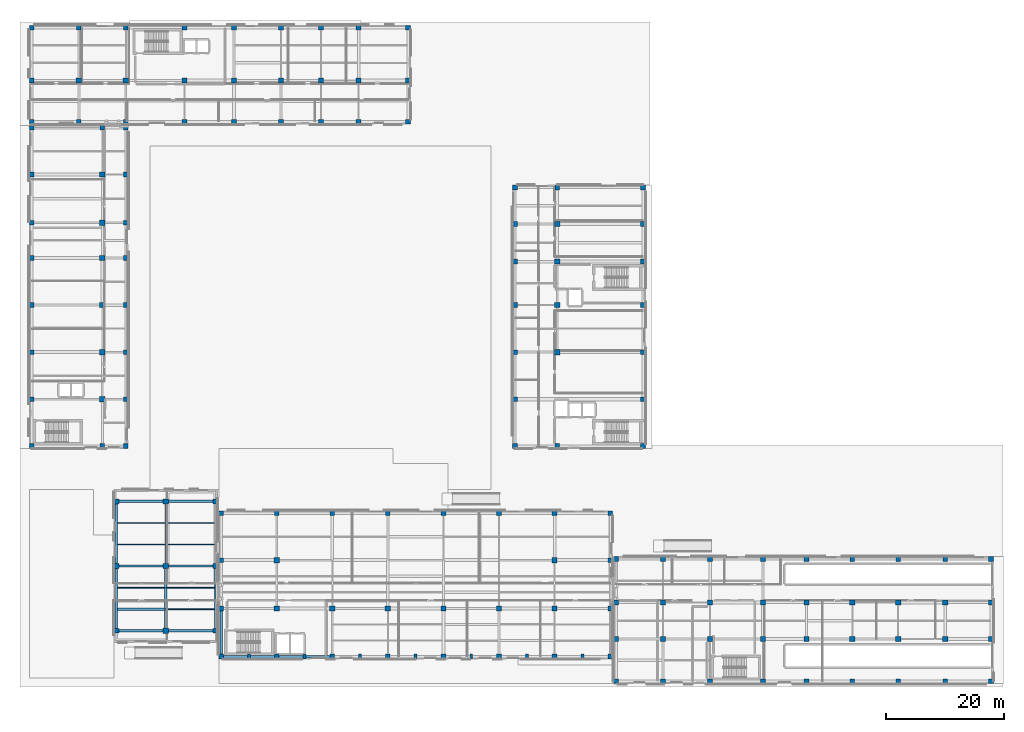
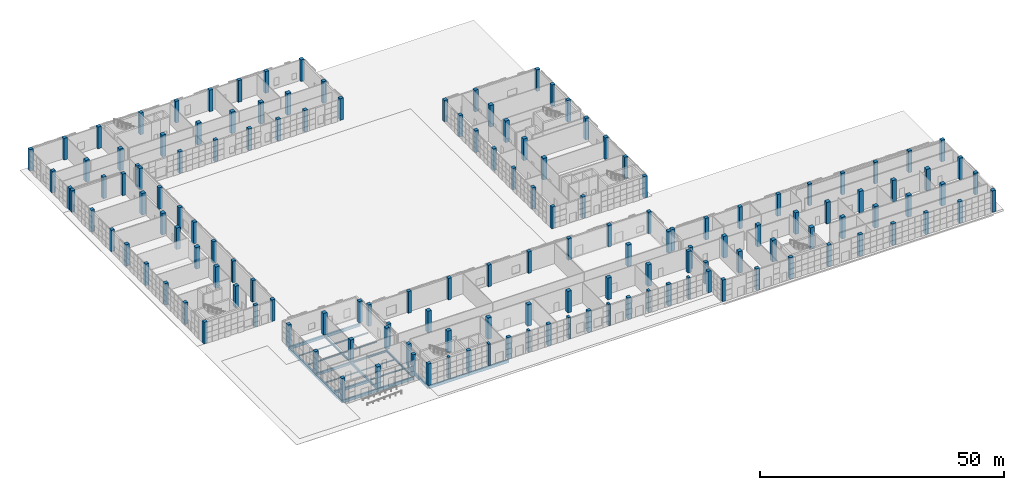
# One storey, part 1 of 40: 151 columns, 22 beams.
"""IFC4 building model written with IfcOpenShell, lengths in metres."""

import ifcopenshell
import ifcopenshell.guid

model = None  # the IFC model being written
_history = None  # IfcOwnerHistory: only IFC2X3 demands one
_inside = {}  # id of a spatial element -> (the spatial element, [elements in it])
_under = {}  # id of a project, library or spatial element -> (it, [spatial elements below it])
_declared = {}  # id of a project -> (the project, [libraries it declares])
_typed = {}  # id of a type object -> (the type object, [elements of that type])
_made_of = {}  # id of a material, layer set ... -> (it, [elements and type objects made of it])


def new_model(schema):
    """Start an empty IFC model of exactly this schema.

    Asked for "IFC4X3", IfcOpenShell would pick the latest addendum, in which some entities
    have other attributes; the version numbers below select the first issue.
    IFC2X3 requires an IfcOwnerHistory on every rooted entity: one is made here for all.
    """
    global model, _history
    if schema == "IFC4X3":
        model = ifcopenshell.file(schema_version=(4, 3, 0, 0))
    else:
        model = ifcopenshell.file(schema=schema)
    _inside.clear()
    _under.clear()
    _declared.clear()
    _typed.clear()
    _made_of.clear()
    _history = None
    if model.schema == "IFC2X3":
        org = make("IfcOrganization", Name="unknown")
        user = make(
            "IfcPersonAndOrganization",
            ThePerson=make("IfcPerson", FamilyName="unknown"),
            TheOrganization=org,
        )
        app = make(
            "IfcApplication",
            ApplicationDeveloper=org,
            Version="unknown",
            ApplicationFullName="unknown",
            ApplicationIdentifier="unknown",
        )
        _history = make(
            "IfcOwnerHistory",
            OwningUser=user,
            OwningApplication=app,
            ChangeAction="ADDED",
            CreationDate=0,
        )
    return model


def make(cls, **values):
    """One entity of the class cls with the attributes given. An attribute that is None is left unset."""
    return model.create_entity(
        cls, **{name: value for name, value in values.items() if value is not None}
    )


def rooted(cls, **values):
    """An entity with a GlobalId (a new one), such as an element, a storey or a relation."""
    return make(cls, GlobalId=ifcopenshell.guid.new(), OwnerHistory=_history, **values)


def si_unit(unit_type, name, prefix=None):
    """IfcSIUnit, for example si_unit("LENGTHUNIT", "METRE", prefix="MILLI")."""
    return make("IfcSIUnit", UnitType=unit_type, Prefix=prefix, Name=name)


def assignment(units):
    """IfcUnitAssignment: the units of a project."""
    return None if units is None else make("IfcUnitAssignment", Units=units)


def point(xyz):
    """IfcCartesianPoint."""
    return None if xyz is None else make("IfcCartesianPoint", Coordinates=xyz)


def direction(xyz):
    """IfcDirection."""
    return None if xyz is None else make("IfcDirection", DirectionRatios=xyz)


def frame(location, z_axis=None, x_axis=None):
    """IfcAxis2Placement3D, a coordinate frame: its origin and axes. An axis left out is left unset."""
    return make(
        "IfcAxis2Placement3D",
        Location=point(location),
        Axis=direction(z_axis),
        RefDirection=direction(x_axis),
    )


def frame_2d(location, x_axis=None):
    """IfcAxis2Placement2D, a coordinate frame in the plane: its origin and x axis."""
    return make(
        "IfcAxis2Placement2D", Location=point(location), RefDirection=direction(x_axis)
    )


def origin():
    """The frame at (0, 0, 0) with its axes left unset."""
    return frame((0.0, 0.0, 0.0))


def origin_2d():
    """The frame at (0, 0) in the plane with its x axis left unset."""
    return frame_2d((0.0, 0.0))


def place(relative_to, where):
    """IfcLocalPlacement: puts the frame where relative to a parent placement (None: the world)."""
    return make(
        "IfcLocalPlacement", PlacementRelTo=relative_to, RelativePlacement=where
    )


def context(
    kind, dimensions, precision=None, world=None, true_north=None, identifier=None
):
    """IfcGeometricRepresentationContext, for example the 3D "Model" context."""
    return make(
        "IfcGeometricRepresentationContext",
        ContextIdentifier=identifier,
        ContextType=kind,
        CoordinateSpaceDimension=dimensions,
        Precision=precision,
        WorldCoordinateSystem=world,
        TrueNorth=true_north,
    )


def subcontext(parent, identifier, kind, view, scale=None):
    """IfcGeometricRepresentationSubContext, for example "Body" below "Model"."""
    return make(
        "IfcGeometricRepresentationSubContext",
        ContextIdentifier=identifier,
        ContextType=kind,
        ParentContext=parent,
        TargetScale=scale,
        TargetView=view,
    )


def project(units=None, contexts=None):
    """IfcProject with its units and contexts."""
    return rooted(
        "IfcProject",
        Name="project",
        RepresentationContexts=contexts,
        UnitsInContext=assignment(units),
    )


def spatial(cls, under=None, at=None, **own):
    """A site, building, storey or space (cls), placed at a placement, below another one or the project."""
    s = rooted(cls, ObjectPlacement=at, **own)
    if under is not None:
        _under.setdefault(under.id(), (under, []))[1].append(s)
    return s


def profile(cls, at=None, kind="AREA", **sizes):
    """A parametric profile (cls). Its sizes go by their IFC names, for example OverallWidth=200.0."""
    return make(cls, ProfileType=kind, Position=at, **sizes)


def rectangle(**sizes):
    """IfcRectangleProfileDef."""
    return profile("IfcRectangleProfileDef", **sizes)


def i_section(**sizes):
    """IfcIShapeProfileDef."""
    return profile("IfcIShapeProfileDef", **sizes)


def extrude(swept, where, along, depth):
    """IfcExtrudedAreaSolid: the profile swept, set in the frame where, extruded along a direction by depth."""
    return make(
        "IfcExtrudedAreaSolid",
        SweptArea=swept,
        Position=where,
        ExtrudedDirection=direction(along),
        Depth=depth,
    )


def shape(context_of_items, identifier, shape_type, items):
    """IfcShapeRepresentation: the items that make up one representation, for example the "Body"."""
    return make(
        "IfcShapeRepresentation",
        ContextOfItems=context_of_items,
        RepresentationIdentifier=identifier,
        RepresentationType=shape_type,
        Items=items,
    )


def material(Name=None, Category=None):
    """IfcMaterial."""
    return make("IfcMaterial", Name=Name, Category=Category)


def material_profile(
    of_material, cross_section, Name=None, Category=None, Priority=None
):
    """IfcMaterialProfile: a cross section and its material."""
    return make(
        "IfcMaterialProfile",
        Name=Name,
        Material=of_material,
        Profile=cross_section,
        Priority=Priority,
        Category=Category,
    )


def profile_set(profiles, Name=None, composite=None):
    """IfcMaterialProfileSet."""
    return make(
        "IfcMaterialProfileSet",
        Name=Name,
        MaterialProfiles=profiles,
        CompositeProfile=composite,
    )


def made_of(thing, what):
    """Note that an element or type object is made of a material, layer set ...; save() writes the relation."""
    if what is not None:
        _made_of.setdefault(what.id(), (what, []))[1].append(thing)
    return thing


def type_object(cls, material=None, **own):
    """A type object (cls), such as IfcWallType, which elements share."""
    return made_of(rooted(cls, **own), material)


def element(
    cls,
    number,
    at=None,
    inside=None,
    cuts=None,
    type_object=None,
    material=None,
    context=None,
    identifier="Body",
    shape_type=None,
    held_by="IfcProductDefinitionShape",
    body=None,
    shapes=None,
    **own,
):
    """One element of the class cls, such as IfcWall. Its Tag is "e" and its number.

    at: its placement. inside: the storey or other place that contains it. cuts: it is an
    opening in that element (IfcRelVoidsElement). A single representation is given by context,
    identifier, shape_type and body (its items); several are given by shapes. held_by: the class
    of the entity that holds the representations. save() writes the other relations.
    """
    e = rooted(cls, Tag="e%d" % number, ObjectPlacement=at, **own)
    if body is not None:
        shapes = [shape(context, identifier, shape_type, body)]
    if shapes is not None:
        e.Representation = make(held_by, Representations=shapes)
    if inside is not None:
        _inside.setdefault(inside.id(), (inside, []))[1].append(e)
    if cuts is not None:
        rooted(
            "IfcRelVoidsElement", RelatingBuildingElement=cuts, RelatedOpeningElement=e
        )
    if type_object is not None:
        _typed.setdefault(type_object.id(), (type_object, []))[1].append(e)
    return made_of(e, material)


def aggregate(whole, parts):
    """IfcRelAggregates: a whole, such as a stair, and the parts it consists of."""
    return rooted("IfcRelAggregates", RelatingObject=whole, RelatedObjects=parts)


def save(model, path):
    """Write the relations noted so far, then the file.

    IfcRelAggregates (storeys below a building ...), IfcRelContainedInSpatialStructure (elements
    in a storey), IfcRelDefinesByType, IfcRelAssociatesMaterial and IfcRelDeclares: one each for
    every whole, place, type object, material and project.
    """
    for whole, parts in _under.values():
        aggregate(whole, parts)
    for where, things in _inside.values():
        rooted(
            "IfcRelContainedInSpatialStructure",
            RelatedElements=things,
            RelatingStructure=where,
        )
    for kind, things in _typed.values():
        rooted("IfcRelDefinesByType", RelatedObjects=things, RelatingType=kind)
    for what, things in _made_of.values():
        rooted("IfcRelAssociatesMaterial", RelatedObjects=things, RelatingMaterial=what)
    for by, libraries in _declared.values():
        rooted("IfcRelDeclares", RelatingContext=by, RelatedDefinitions=libraries)
    model.write(path)


model = new_model("IFC4")

# Units and contexts
model_context = context("Model", 3, precision=1e-05, world=origin(), true_north=direction((0.0, 1.0)))
body_context = subcontext(model_context, "Body", "Model", "MODEL_VIEW")
ifc_project = project(units=[si_unit("LENGTHUNIT", "METRE"), si_unit("AREAUNIT", "SQUARE_METRE"), si_unit("VOLUMEUNIT", "CUBIC_METRE"), si_unit("PLANEANGLEUNIT", "RADIAN"), si_unit("MASSUNIT", "GRAM", prefix="KILO")], contexts=[model_context])

# Site, building, storey
site_placement = place(None, origin())
site = spatial("IfcSite", under=ifc_project, at=site_placement, CompositionType="ELEMENT")
building_placement = place(site_placement, origin())
building = spatial("IfcBuilding", under=site, at=building_placement, Name="Qalavern Law Courts", CompositionType="ELEMENT")
storey_placement = place(building_placement, origin())
storey = spatial("IfcBuildingStorey", under=building, at=storey_placement, Name="L00", CompositionType="ELEMENT", Elevation=0.0)

# Columns
ifc_material_1 = material(Name="Concrete C45/55", Category="concrete")
ifc_material_profile_1 = material_profile(ifc_material_1, rectangle(XDim=0.800048828125, YDim=0.800048828125, at=origin_2d()), Name="RC 800x800")
ifc_profile_set_1 = profile_set([ifc_material_profile_1], Name="Concrete C45/55")
column_type_1 = type_object("IfcColumnType", Name="STR-COL-RC800E", PredefinedType="COLUMN", material=ifc_profile_set_1)
for number, where, z_axis, x_axis, name in (
    (1, (16.800048828125, 10.0, 0.0), (0.0, 0.0, 1.0), (1.0, 0.0, 0.0), "V1 column 1-1 L00"),
    (2, (16.800048828125, 21.0, 0.0), (0.0, 0.0, 1.0), (1.0, 0.0, 0.0), "V1 column 1-2 L00"),
    (3, (16.800048828125, 32.0, 0.0), (0.0, 0.0, 1.0), (1.0, 0.0, 0.0), "V1 column 1-3 L00"),
    (4, (33.60009765625, 10.0, 0.0), (0.0, 0.0, 1.0), (1.0, 0.0, 0.0), "V1 column 3-1 L00"),
    (5, (33.60009765625, 21.0, 0.0), (0.0, 0.0, 1.0), (1.0, 0.0, 0.0), "V1 column 3-2 L00"),
    (6, (33.60009765625, 32.0, 0.0), (0.0, 0.0, 1.0), (1.0, 0.0, 0.0), "V1 column 3-3 L00"),
    (7, (34.6201171875, 5.60009765625, 0.0), (0.0, 0.0, 1.0), (1.0, 0.0, 0.0), "V2 column 1-1 L00"),
    (8, (34.6201171875, 13.800048828125, 0.0), (0.0, 0.0, 1.0), (1.0, 0.0, 0.0), "V2 column 1-2 L00"),
    (9, (34.6201171875, 22.0, 0.0), (0.0, 0.0, 1.0), (1.0, 0.0, 0.0), "V2 column 1-3 L00"),
    (10, (34.6201171875, 30.0, 0.0), (0.0, 0.0, 1.0), (1.0, 0.0, 0.0), "V2 column 1-4 L00"),
    (11, (44.07421875, 5.60009765625, 0.0), (0.0, 0.0, 1.0), (1.0, 0.0, 0.0), "V2 column 2-1 L00"),
    (12, (44.07421875, 30.0, 0.0), (0.0, 0.0, 1.0), (1.0, 0.0, 0.0), "V2 column 2-4 L00"),
    (13, (53.528564453125, 5.60009765625, 0.0), (0.0, 0.0, 1.0), (1.0, 0.0, 0.0), "V2 column 3-1 L00"),
    (14, (53.528564453125, 30.0, 0.0), (0.0, 0.0, 1.0), (1.0, 0.0, 0.0), "V2 column 3-4 L00"),
    (15, (62.98291015625, 5.60009765625, 0.0), (0.0, 0.0, 1.0), (1.0, 0.0, 0.0), "V2 column 4-1 L00"),
    (16, (62.98291015625, 30.0, 0.0), (0.0, 0.0, 1.0), (1.0, 0.0, 0.0), "V2 column 4-4 L00"),
    (17, (72.43701171875, 5.60009765625, 0.0), (0.0, 0.0, 1.0), (1.0, 0.0, 0.0), "V2 column 5-1 L00"),
    (18, (72.43701171875, 30.0, 0.0), (0.0, 0.0, 1.0), (1.0, 0.0, 0.0), "V2 column 5-4 L00"),
    (19, (81.891357421875, 5.60009765625, 0.0), (0.0, 0.0, 1.0), (1.0, 0.0, 0.0), "V2 column 6-1 L00"),
    (20, (81.891357421875, 30.0, 0.0), (0.0, 0.0, 1.0), (1.0, 0.0, 0.0), "V2 column 6-4 L00"),
    (21, (91.345703125, 5.60009765625, 0.0), (0.0, 0.0, 1.0), (1.0, 0.0, 0.0), "V2 column 7-1 L00"),
    (22, (91.345703125, 30.0, 0.0), (0.0, 0.0, 1.0), (1.0, 0.0, 0.0), "V2 column 7-4 L00"),
    (23, (100.800048828125, 5.60009765625, 0.0), (0.0, 0.0, 1.0), (1.0, 0.0, 0.0), "V2 column 8-1 L00"),
    (24, (100.800048828125, 13.800048828125, 0.0), (0.0, 0.0, 1.0), (1.0, 0.0, 0.0), "V2 column 8-2 L00"),
    (25, (100.800048828125, 22.0, 0.0), (0.0, 0.0, 1.0), (1.0, 0.0, 0.0), "V2 column 8-3 L00"),
    (26, (100.800048828125, 30.0, 0.0), (0.0, 0.0, 1.0), (1.0, 0.0, 0.0), "V2 column 8-4 L00"),
    (27, (2.39990234375, 41.419921875, 0.0), (0.0, 0.0, 1.0), (1.0, 0.0, 0.0), "V3 column 1-1 L00"),
    (28, (2.39990234375, 49.39990234375, 0.0), (0.0, 0.0, 1.0), (1.0, 0.0, 0.0), "V3 column 1-2 L00"),
    (29, (2.39990234375, 57.39990234375, 0.0), (0.0, 0.0, 1.0), (1.0, 0.0, 0.0), "V3 column 1-3 L00"),
    (30, (2.39990234375, 65.39990234375, 0.0), (0.0, 0.0, 1.0), (1.0, 0.0, 0.0), "V3 column 1-4 L00"),
    (31, (2.39990234375, 73.39990234375, 0.0), (0.0, 0.0, 1.0), (1.0, 0.0, 0.0), "V3 column 1-5 L00"),
    (32, (2.39990234375, 79.39990234375, 0.0), (0.0, 0.0, 1.0), (1.0, 0.0, 0.0), "V3 column 1-6 L00"),
    (33, (2.39990234375, 87.60009765625, 0.0), (0.0, 0.0, 1.0), (1.0, 0.0, 0.0), "V3 column 1-7 L00"),
    (34, (2.39990234375, 95.580078125, 0.0), (0.0, 0.0, 1.0), (1.0, 0.0, 0.0), "V3 column 1-8 L00"),
    (35, (14.39990234375, 41.419921875, 0.0), (0.0, 0.0, 1.0), (1.0, 0.0, 0.0), "V3 column 2-1 L00"),
    (36, (14.39990234375, 95.580078125, 0.0), (0.0, 0.0, 1.0), (1.0, 0.0, 0.0), "V3 column 2-8 L00"),
    (37, (18.39990234375, 41.419921875, 0.0), (0.0, 0.0, 1.0), (1.0, 0.0, 0.0), "V3 column 3-1 L00"),
    (38, (18.39990234375, 49.39990234375, 0.0), (0.0, 0.0, 1.0), (1.0, 0.0, 0.0), "V3 column 3-2 L00"),
    (39, (18.39990234375, 57.39990234375, 0.0), (0.0, 0.0, 1.0), (1.0, 0.0, 0.0), "V3 column 3-3 L00"),
    (40, (18.39990234375, 65.39990234375, 0.0), (0.0, 0.0, 1.0), (1.0, 0.0, 0.0), "V3 column 3-4 L00"),
    (41, (18.39990234375, 73.39990234375, 0.0), (0.0, 0.0, 1.0), (1.0, 0.0, 0.0), "V3 column 3-5 L00"),
    (42, (18.39990234375, 79.39990234375, 0.0), (0.0, 0.0, 1.0), (1.0, 0.0, 0.0), "V3 column 3-6 L00"),
    (43, (18.39990234375, 87.60009765625, 0.0), (0.0, 0.0, 1.0), (1.0, 0.0, 0.0), "V3 column 3-7 L00"),
    (44, (18.39990234375, 95.580078125, 0.0), (0.0, 0.0, 1.0), (1.0, 0.0, 0.0), "V3 column 3-8 L00"),
    (45, (84.60009765625, 41.419921875, 0.0), (0.0, 0.0, 1.0), (1.0, 0.0, 0.0), "V4 column 1-1 L00"),
    (46, (84.60009765625, 49.39990234375, 0.0), (0.0, 0.0, 1.0), (1.0, 0.0, 0.0), "V4 column 1-2 L00"),
    (47, (84.60009765625, 57.39990234375, 0.0), (0.0, 0.0, 1.0), (1.0, 0.0, 0.0), "V4 column 1-3 L00"),
    (48, (84.60009765625, 65.39990234375, 0.0), (0.0, 0.0, 1.0), (1.0, 0.0, 0.0), "V4 column 1-4 L00"),
    (49, (84.60009765625, 72.800048828125, 0.0), (0.0, 0.0, 1.0), (1.0, 0.0, 0.0), "V4 column 1-5 L00"),
    (50, (84.60009765625, 79.199951171875, 0.0), (0.0, 0.0, 1.0), (1.0, 0.0, 0.0), "V4 column 1-6 L00"),
    (51, (84.60009765625, 85.39990234375, 0.0), (0.0, 0.0, 1.0), (1.0, 0.0, 0.0), "V4 column 1-7 L00"),
    (52, (91.800048828125, 41.419921875, 0.0), (0.0, 0.0, 1.0), (1.0, 0.0, 0.0), "V4 column 2-1 L00"),
    (53, (91.800048828125, 85.39990234375, 0.0), (0.0, 0.0, 1.0), (1.0, 0.0, 0.0), "V4 column 2-7 L00"),
    (54, (106.39990234375, 41.419921875, 0.0), (0.0, 0.0, 1.0), (1.0, 0.0, 0.0), "V4 column 3-1 L00"),
    (55, (106.39990234375, 49.39990234375, 0.0), (0.0, 0.0, 1.0), (1.0, 0.0, 0.0), "V4 column 3-2 L00"),
    (56, (106.39990234375, 57.39990234375, 0.0), (0.0, 0.0, 1.0), (1.0, 0.0, 0.0), "V4 column 3-3 L00"),
    (57, (106.39990234375, 65.39990234375, 0.0), (0.0, 0.0, 1.0), (1.0, 0.0, 0.0), "V4 column 3-4 L00"),
    (58, (106.39990234375, 72.800048828125, 0.0), (0.0, 0.0, 1.0), (1.0, 0.0, 0.0), "V4 column 3-5 L00"),
    (59, (106.39990234375, 79.199951171875, 0.0), (0.0, 0.0, 1.0), (1.0, 0.0, 0.0), "V4 column 3-6 L00"),
    (60, (106.39990234375, 85.39990234375, 0.0), (0.0, 0.0, 1.0), (1.0, 0.0, 0.0), "V4 column 3-7 L00"),
    (61, (2.39990234375, 96.60009765625, 0.0), (0.0, 0.0, 1.0), (1.0, 0.0, 0.0), "V5 column 1-1 L00"),
    (62, (2.39990234375, 103.60009765625, 0.0), (0.0, 0.0, 1.0), (1.0, 0.0, 0.0), "V5 column 1-2 L00"),
    (63, (2.39990234375, 112.60009765625, 0.0), (0.0, 0.0, 1.0), (1.0, 0.0, 0.0), "V5 column 1-3 L00"),
    (64, (10.39990234375, 96.60009765625, 0.0), (0.0, 0.0, 1.0), (1.0, 0.0, 0.0), "V5 column 2-1 L00"),
    (65, (10.39990234375, 112.60009765625, 0.0), (0.0, 0.0, 1.0), (1.0, 0.0, 0.0), "V5 column 2-3 L00"),
    (66, (18.39990234375, 96.60009765625, 0.0), (0.0, 0.0, 1.0), (1.0, 0.0, 0.0), "V5 column 3-1 L00"),
    (67, (18.39990234375, 112.60009765625, 0.0), (0.0, 0.0, 1.0), (1.0, 0.0, 0.0), "V5 column 3-3 L00"),
    (68, (28.39990234375, 96.60009765625, 0.0), (0.0, 0.0, 1.0), (1.0, 0.0, 0.0), "V5 column 4-1 L00"),
    (69, (28.39990234375, 112.60009765625, 0.0), (0.0, 0.0, 1.0), (1.0, 0.0, 0.0), "V5 column 4-3 L00"),
    (70, (36.800048828125, 96.60009765625, 0.0), (0.0, 0.0, 1.0), (1.0, 0.0, 0.0), "V5 column 5-1 L00"),
    (71, (36.800048828125, 112.60009765625, 0.0), (0.0, 0.0, 1.0), (1.0, 0.0, 0.0), "V5 column 5-3 L00"),
    (72, (44.800048828125, 96.60009765625, 0.0), (0.0, 0.0, 1.0), (1.0, 0.0, 0.0), "V5 column 6-1 L00"),
    (73, (44.800048828125, 112.60009765625, 0.0), (0.0, 0.0, 1.0), (1.0, 0.0, 0.0), "V5 column 6-3 L00"),
    (74, (51.60009765625, 96.60009765625, 0.0), (0.0, 0.0, 1.0), (1.0, 0.0, 0.0), "V5 column 7-1 L00"),
    (75, (51.60009765625, 112.60009765625, 0.0), (0.0, 0.0, 1.0), (1.0, 0.0, 0.0), "V5 column 7-3 L00"),
    (76, (58.0, 96.60009765625, 0.0), (0.0, 0.0, 1.0), (1.0, 0.0, 0.0), "V5 column 8-1 L00"),
    (77, (58.0, 112.60009765625, 0.0), (0.0, 0.0, 1.0), (1.0, 0.0, 0.0), "V5 column 8-3 L00"),
    (78, (66.39990234375, 96.60009765625, 0.0), (0.0, 0.0, 1.0), (1.0, 0.0, 0.0), "V5 column 9-1 L00"),
    (79, (66.39990234375, 103.60009765625, 0.0), (0.0, 0.0, 1.0), (1.0, 0.0, 0.0), "V5 column 9-2 L00"),
    (80, (66.39990234375, 112.60009765625, 0.0), (0.0, 0.0, 1.0), (1.0, 0.0, 0.0), "V5 column 9-3 L00"),
    (81, (101.820068359375, 1.39990234375, 0.0), (0.0, 0.0, 1.0), (1.0, 0.0, 0.0), "V6 column 1-1 L00"),
    (82, (101.820068359375, 8.60009765625, 0.0), (0.0, 0.0, 1.0), (1.0, 0.0, 0.0), "V6 column 1-2 L00"),
    (83, (101.820068359375, 14.800048828125, 0.0), (0.0, 0.0, 1.0), (1.0, 0.0, 0.0), "V6 column 1-3 L00"),
    (84, (101.820068359375, 22.199951171875, 0.0), (0.0, 0.0, 1.0), (1.0, 0.0, 0.0), "V6 column 1-4 L00"),
    (85, (109.800048828125, 1.39990234375, 0.0), (0.0, 0.0, 1.0), (1.0, 0.0, 0.0), "V6 column 2-1 L00"),
    (86, (109.800048828125, 22.199951171875, 0.0), (0.0, 0.0, 1.0), (1.0, 0.0, 0.0), "V6 column 2-4 L00"),
    (87, (117.800048828125, 1.39990234375, 0.0), (0.0, 0.0, 1.0), (1.0, 0.0, 0.0), "V6 column 3-1 L00"),
    (88, (117.800048828125, 22.199951171875, 0.0), (0.0, 0.0, 1.0), (1.0, 0.0, 0.0), "V6 column 3-4 L00"),
    (89, (126.800048828125, 1.39990234375, 0.0), (0.0, 0.0, 1.0), (1.0, 0.0, 0.0), "V6 column 4-1 L00"),
    (90, (126.800048828125, 22.199951171875, 0.0), (0.0, 0.0, 1.0), (1.0, 0.0, 0.0), "V6 column 4-4 L00"),
    (91, (134.199951171875, 1.39990234375, 0.0), (0.0, 0.0, 1.0), (1.0, 0.0, 0.0), "V6 column 5-1 L00"),
    (92, (134.199951171875, 22.199951171875, 0.0), (0.0, 0.0, 1.0), (1.0, 0.0, 0.0), "V6 column 5-4 L00"),
    (93, (142.0, 1.39990234375, 0.0), (0.0, 0.0, 1.0), (1.0, 0.0, 0.0), "V6 column 6-1 L00"),
    (94, (142.0, 22.199951171875, 0.0), (0.0, 0.0, 1.0), (1.0, 0.0, 0.0), "V6 column 6-4 L00"),
    (95, (149.800048828125, 1.39990234375, 0.0), (0.0, 0.0, 1.0), (1.0, 0.0, 0.0), "V6 column 7-1 L00"),
    (96, (149.800048828125, 22.199951171875, 0.0), (0.0, 0.0, 1.0), (1.0, 0.0, 0.0), "V6 column 7-4 L00"),
    (97, (157.800048828125, 1.39990234375, 0.0), (0.0, 0.0, 1.0), (1.0, 0.0, 0.0), "V6 column 8-1 L00"),
    (98, (157.800048828125, 22.199951171875, 0.0), (0.0, 0.0, 1.0), (1.0, 0.0, 0.0), "V6 column 8-4 L00"),
    (99, (165.60009765625, 1.39990234375, 0.0), (0.0, 0.0, 1.0), (1.0, 0.0, 0.0), "V6 column 9-1 L00"),
    (100, (165.60009765625, 8.60009765625, 0.0), (0.0, 0.0, 1.0), (1.0, 0.0, 0.0), "V6 column 9-2 L00"),
    (101, (165.60009765625, 14.800048828125, 0.0), (0.0, 0.0, 1.0), (1.0, 0.0, 0.0), "V6 column 9-3 L00"),
    (102, (165.60009765625, 22.199951171875, 0.0), (0.0, 0.0, 1.0), (1.0, 0.0, 0.0), "V6 column 9-4 L00"),
):
    element("IfcColumn", number, at=place(storey_placement, frame(where, z_axis=z_axis, x_axis=x_axis)), inside=storey, type_object=column_type_1, Name=name, PredefinedType="COLUMN", context=body_context, shape_type="SweptSolid", body=[
        extrude(rectangle(XDim=0.800048828125, YDim=0.800048828125, at=origin_2d()), origin(), (0.0, 0.0, 1.0), 5.39990234375),
    ])
ifc_material_profile_2 = material_profile(ifc_material_1, rectangle(XDim=0.89990234375, YDim=0.89990234375, at=origin_2d()), Name="RC 900x900")
ifc_profile_set_2 = profile_set([ifc_material_profile_2], Name="Concrete C45/55")
column_type_2 = type_object("IfcColumnType", Name="STR-COL-RC900", PredefinedType="COLUMN", material=ifc_profile_set_2)
for number, where, z_axis, x_axis, name in (
    (103, (25.199951171875, 10.0, 0.0), (0.0, 0.0, 1.0), (1.0, 0.0, 0.0), "V1 column 2-1 L00"),
    (104, (25.199951171875, 21.0, 0.0), (0.0, 0.0, 1.0), (1.0, 0.0, 0.0), "V1 column 2-2 L00"),
    (105, (25.199951171875, 32.0, 0.0), (0.0, 0.0, 1.0), (1.0, 0.0, 0.0), "V1 column 2-3 L00"),
    (106, (44.07421875, 13.800048828125, 0.0), (0.0, 0.0, 1.0), (1.0, 0.0, 0.0), "V2 column 2-2 L00"),
    (107, (44.07421875, 22.0, 0.0), (0.0, 0.0, 1.0), (1.0, 0.0, 0.0), "V2 column 2-3 L00"),
    (108, (53.528564453125, 13.800048828125, 0.0), (0.0, 0.0, 1.0), (1.0, 0.0, 0.0), "V2 column 3-2 L00"),
    (109, (62.98291015625, 13.800048828125, 0.0), (0.0, 0.0, 1.0), (1.0, 0.0, 0.0), "V2 column 4-2 L00"),
    (110, (72.43701171875, 13.800048828125, 0.0), (0.0, 0.0, 1.0), (1.0, 0.0, 0.0), "V2 column 5-2 L00"),
    (111, (81.891357421875, 13.800048828125, 0.0), (0.0, 0.0, 1.0), (1.0, 0.0, 0.0), "V2 column 6-2 L00"),
    (112, (91.345703125, 13.800048828125, 0.0), (0.0, 0.0, 1.0), (1.0, 0.0, 0.0), "V2 column 7-2 L00"),
    (113, (91.345703125, 22.0, 0.0), (0.0, 0.0, 1.0), (1.0, 0.0, 0.0), "V2 column 7-3 L00"),
    (114, (14.39990234375, 49.39990234375, 0.0), (0.0, 0.0, 1.0), (1.0, 0.0, 0.0), "V3 column 2-2 L00"),
    (115, (14.39990234375, 57.39990234375, 0.0), (0.0, 0.0, 1.0), (1.0, 0.0, 0.0), "V3 column 2-3 L00"),
    (116, (14.39990234375, 65.39990234375, 0.0), (0.0, 0.0, 1.0), (1.0, 0.0, 0.0), "V3 column 2-4 L00"),
    (117, (14.39990234375, 73.39990234375, 0.0), (0.0, 0.0, 1.0), (1.0, 0.0, 0.0), "V3 column 2-5 L00"),
    (118, (14.39990234375, 79.39990234375, 0.0), (0.0, 0.0, 1.0), (1.0, 0.0, 0.0), "V3 column 2-6 L00"),
    (119, (14.39990234375, 87.60009765625, 0.0), (0.0, 0.0, 1.0), (1.0, 0.0, 0.0), "V3 column 2-7 L00"),
    (120, (91.800048828125, 57.39990234375, 0.0), (0.0, 0.0, 1.0), (1.0, 0.0, 0.0), "V4 column 2-3 L00"),
    (121, (91.800048828125, 65.39990234375, 0.0), (0.0, 0.0, 1.0), (1.0, 0.0, 0.0), "V4 column 2-4 L00"),
    (122, (91.800048828125, 72.800048828125, 0.0), (0.0, 0.0, 1.0), (1.0, 0.0, 0.0), "V4 column 2-5 L00"),
    (123, (91.800048828125, 79.199951171875, 0.0), (0.0, 0.0, 1.0), (1.0, 0.0, 0.0), "V4 column 2-6 L00"),
    (124, (10.39990234375, 103.60009765625, 0.0), (0.0, 0.0, 1.0), (1.0, 0.0, 0.0), "V5 column 2-2 L00"),
    (125, (18.39990234375, 103.60009765625, 0.0), (0.0, 0.0, 1.0), (1.0, 0.0, 0.0), "V5 column 3-2 L00"),
    (126, (28.39990234375, 103.60009765625, 0.0), (0.0, 0.0, 1.0), (1.0, 0.0, 0.0), "V5 column 4-2 L00"),
    (127, (36.800048828125, 103.60009765625, 0.0), (0.0, 0.0, 1.0), (1.0, 0.0, 0.0), "V5 column 5-2 L00"),
    (128, (44.800048828125, 103.60009765625, 0.0), (0.0, 0.0, 1.0), (1.0, 0.0, 0.0), "V5 column 6-2 L00"),
    (129, (51.60009765625, 103.60009765625, 0.0), (0.0, 0.0, 1.0), (1.0, 0.0, 0.0), "V5 column 7-2 L00"),
    (130, (58.0, 103.60009765625, 0.0), (0.0, 0.0, 1.0), (1.0, 0.0, 0.0), "V5 column 8-2 L00"),
    (131, (109.800048828125, 8.60009765625, 0.0), (0.0, 0.0, 1.0), (1.0, 0.0, 0.0), "V6 column 2-2 L00"),
    (132, (109.800048828125, 14.800048828125, 0.0), (0.0, 0.0, 1.0), (1.0, 0.0, 0.0), "V6 column 2-3 L00"),
    (133, (117.800048828125, 8.60009765625, 0.0), (0.0, 0.0, 1.0), (1.0, 0.0, 0.0), "V6 column 3-2 L00"),
    (134, (117.800048828125, 14.800048828125, 0.0), (0.0, 0.0, 1.0), (1.0, 0.0, 0.0), "V6 column 3-3 L00"),
    (135, (126.800048828125, 8.60009765625, 0.0), (0.0, 0.0, 1.0), (1.0, 0.0, 0.0), "V6 column 4-2 L00"),
    (136, (126.800048828125, 14.800048828125, 0.0), (0.0, 0.0, 1.0), (1.0, 0.0, 0.0), "V6 column 4-3 L00"),
    (137, (134.199951171875, 8.60009765625, 0.0), (0.0, 0.0, 1.0), (1.0, 0.0, 0.0), "V6 column 5-2 L00"),
    (138, (134.199951171875, 14.800048828125, 0.0), (0.0, 0.0, 1.0), (1.0, 0.0, 0.0), "V6 column 5-3 L00"),
    (139, (142.0, 8.60009765625, 0.0), (0.0, 0.0, 1.0), (1.0, 0.0, 0.0), "V6 column 6-2 L00"),
    (140, (142.0, 14.800048828125, 0.0), (0.0, 0.0, 1.0), (1.0, 0.0, 0.0), "V6 column 6-3 L00"),
    (141, (149.800048828125, 8.60009765625, 0.0), (0.0, 0.0, 1.0), (1.0, 0.0, 0.0), "V6 column 7-2 L00"),
    (142, (149.800048828125, 14.800048828125, 0.0), (0.0, 0.0, 1.0), (1.0, 0.0, 0.0), "V6 column 7-3 L00"),
    (143, (157.800048828125, 8.60009765625, 0.0), (0.0, 0.0, 1.0), (1.0, 0.0, 0.0), "V6 column 8-2 L00"),
    (144, (157.800048828125, 14.800048828125, 0.0), (0.0, 0.0, 1.0), (1.0, 0.0, 0.0), "V6 column 8-3 L00"),
):
    element("IfcColumn", number, at=place(storey_placement, frame(where, z_axis=z_axis, x_axis=x_axis)), inside=storey, type_object=column_type_2, Name=name, PredefinedType="COLUMN", context=body_context, shape_type="SweptSolid", body=[
        extrude(rectangle(XDim=0.89990234375, YDim=0.89990234375, at=origin_2d()), origin(), (0.0, 0.0, 1.0), 5.39990234375),
    ])
ifc_material_profile_3 = material_profile(ifc_material_1, rectangle(XDim=0.5, YDim=0.800048828125, at=origin_2d()), Name="RC 500x800")
ifc_profile_set_3 = profile_set([ifc_material_profile_3], Name="Concrete C45/55")
column_type_3 = type_object("IfcColumnType", Name="STR-PIL-500x800", PredefinedType="PILASTER", material=ifc_profile_set_3)
for number, where, z_axis, x_axis, name in (
    (145, (39.346923828125, 5.60009765625, 0.0), (0.0, 0.0, 1.0), (1.0, 0.0, 0.0), "Civic colonnade pilaster 01 L00"),
    (146, (48.801025390625, 5.60009765625, 0.0), (0.0, 0.0, 1.0), (1.0, 0.0, 0.0), "Civic colonnade pilaster 02 L00"),
    (147, (58.256103515625, 5.60009765625, 0.0), (0.0, 0.0, 1.0), (1.0, 0.0, 0.0), "Civic colonnade pilaster 03 L00"),
    (148, (67.7099609375, 5.60009765625, 0.0), (0.0, 0.0, 1.0), (1.0, 0.0, 0.0), "Civic colonnade pilaster 04 L00"),
    (149, (77.1640625, 5.60009765625, 0.0), (0.0, 0.0, 1.0), (1.0, 0.0, 0.0), "Civic colonnade pilaster 05 L00"),
    (150, (86.618896484375, 5.60009765625, 0.0), (0.0, 0.0, 1.0), (1.0, 0.0, 0.0), "Civic colonnade pilaster 06 L00"),
    (151, (96.072998046875, 5.60009765625, 0.0), (0.0, 0.0, 1.0), (1.0, 0.0, 0.0), "Civic colonnade pilaster 07 L00"),
):
    element("IfcColumn", number, at=place(storey_placement, frame(where, z_axis=z_axis, x_axis=x_axis)), inside=storey, type_object=column_type_3, Name=name, PredefinedType="PILASTER", context=body_context, shape_type="SweptSolid", body=[
        extrude(rectangle(XDim=0.5, YDim=0.800048828125, at=origin_2d()), origin(), (0.0, 0.0, 1.0), 5.39990234375),
    ])

# Beams
ifc_material_2 = material(Name="Steel S355", Category="steel")
ifc_material_profile_4 = material_profile(ifc_material_2, i_section(OverallWidth=0.300048828125, OverallDepth=0.489990234375, WebThickness=0.011962890625, FlangeThickness=0.02294921875, FilletRadius=0.027099609375, at=origin_2d()), Name="HEA 500")
ifc_profile_set_4 = profile_set([ifc_material_profile_4], Name="Steel S355")
beam_type_1 = type_object("IfcBeamType", Name="STR-BM-HEA500", PredefinedType="BEAM", material=ifc_profile_set_4)
beam_1_placement = place(storey_placement, frame((25.199951171875, 21.0, -0.5849609375), z_axis=(1.0, 0.0, 0.0), x_axis=(0.0, 1.0, 0.0)))
element("IfcBeam", 152, at=beam_1_placement, inside=storey, type_object=beam_type_1, Name="V1 X-beam 2-2 L00", PredefinedType="BEAM", context=body_context, shape_type="SweptSolid", body=[
    extrude(i_section(OverallWidth=0.300048828125, OverallDepth=0.489990234375, WebThickness=0.011962890625, FlangeThickness=0.02294921875, FilletRadius=0.027099609375, at=origin_2d()), origin(), (0.0, 0.0, 1.0), 8.400146484375),
])
ifc_material_profile_5 = material_profile(ifc_material_2, i_section(OverallWidth=0.199951171875, OverallDepth=0.5, WebThickness=0.01025390625, FlangeThickness=0.01611328125, FilletRadius=0.02099609375, at=origin_2d()), Name="IPE 500")
ifc_profile_set_5 = profile_set([ifc_material_profile_5], Name="Steel S355")
beam_type_2 = type_object("IfcBeamType", Name="STR-BM-IPE500", PredefinedType="BEAM", material=ifc_profile_set_5)
beam_2_placement = place(storey_placement, frame((25.199951171875, 21.0, -0.590087890625), z_axis=(0.0, 1.0, 0.0), x_axis=(-1.0, 0.0, 0.0)))
element("IfcBeam", 153, at=beam_2_placement, inside=storey, type_object=beam_type_2, Name="V1 Y-beam 2-2 L00", PredefinedType="BEAM", context=body_context, shape_type="SweptSolid", body=[
    extrude(i_section(OverallWidth=0.199951171875, OverallDepth=0.5, WebThickness=0.01025390625, FlangeThickness=0.01611328125, FilletRadius=0.02099609375, at=origin_2d()), origin(), (0.0, 0.0, 1.0), 11.0),
])
ifc_material_3 = material(Name="Concrete C35/45", Category="concrete")
ifc_material_profile_6 = material_profile(ifc_material_3, rectangle(XDim=0.35009765625, YDim=0.550048828125, at=origin_2d()), Name="RC 350x550")
ifc_profile_set_6 = profile_set([ifc_material_profile_6], Name="Concrete C35/45")
beam_type_3 = type_object("IfcBeamType", Name="STR-BM-RC350x550", PredefinedType="BEAM", material=ifc_profile_set_6)
beam_3_placement = place(storey_placement, frame((25.199951171875, 10.0, -0.614990234375), z_axis=(0.0, 1.0, 0.0), x_axis=(-1.0, 0.0, 0.0)))
element("IfcBeam", 154, at=beam_3_placement, inside=storey, type_object=beam_type_3, Name="V1 Y-beam 2-1 L00", PredefinedType="BEAM", context=body_context, shape_type="SweptSolid", body=[
    extrude(rectangle(XDim=0.35009765625, YDim=0.550048828125, at=origin_2d()), origin(), (0.0, 0.0, 1.0), 11.0),
])
ifc_material_profile_7 = material_profile(ifc_material_3, rectangle(XDim=0.35009765625, YDim=0.60009765625, at=origin_2d()), Name="RC 350x600")
ifc_profile_set_7 = profile_set([ifc_material_profile_7], Name="Concrete C35/45")
beam_type_4 = type_object("IfcBeamType", Name="STR-BM-RC350x600", PredefinedType="BEAM", material=ifc_profile_set_7)
beam_4_placement = place(storey_placement, frame((16.800048828125, 21.0, -0.639892578125), z_axis=(1.0, 0.0, 0.0), x_axis=(0.0, 1.0, 0.0)))
element("IfcBeam", 155, at=beam_4_placement, inside=storey, type_object=beam_type_4, Name="V1 X-beam 2-1 L00", PredefinedType="BEAM", context=body_context, shape_type="SweptSolid", body=[
    extrude(rectangle(XDim=0.35009765625, YDim=0.60009765625, at=origin_2d()), origin(), (0.0, 0.0, 1.0), 8.39990234375),
])
ifc_material_profile_8 = material_profile(ifc_material_2, i_section(OverallWidth=0.135009765625, OverallDepth=0.27001953125, WebThickness=0.006591796875, FlangeThickness=0.01025390625, FilletRadius=0.014892578125, at=origin_2d()), Name="IPE 270")
ifc_profile_set_8 = profile_set([ifc_material_profile_8], Name="Steel S355")
beam_type_5 = type_object("IfcBeamType", Name="STR-JST-IPE270", PredefinedType="JOIST", material=ifc_profile_set_8)
beam_5_placement = place(storey_placement, frame((25.298095703125, 28.333251953125, -0.47509765625), z_axis=(1.0, 0.0, 0.0), x_axis=(0.0, 1.0, 0.0)))
element("IfcBeam", 156, at=beam_5_placement, inside=storey, type_object=beam_type_5, Name="V1 secondary joist 2.2.2 L00", PredefinedType="JOIST", context=body_context, shape_type="SweptSolid", body=[
    extrude(i_section(OverallWidth=0.135009765625, OverallDepth=0.27001953125, WebThickness=0.006591796875, FlangeThickness=0.01025390625, FilletRadius=0.014892578125, at=origin_2d()), origin(), (0.0, 0.0, 1.0), 8.15380859375),
])
ifc_material_profile_9 = material_profile(ifc_material_2, i_section(OverallWidth=0.14990234375, OverallDepth=0.300048828125, WebThickness=0.007080078125, FlangeThickness=0.0107421875, FilletRadius=0.014892578125, at=origin_2d()), Name="IPE 300")
ifc_profile_set_9 = profile_set([ifc_material_profile_9], Name="Steel S355")
beam_type_6 = type_object("IfcBeamType", Name="STR-JST-IPE300", PredefinedType="JOIST", material=ifc_profile_set_9)
beam_6_placement = place(storey_placement, frame((16.998046875, 28.333251953125, -0.489990234375), z_axis=(1.0, 0.0, 0.0), x_axis=(0.0, 1.0, 0.0)))
element("IfcBeam", 157, at=beam_6_placement, inside=storey, type_object=beam_type_6, Name="V1 secondary joist 1.2.2 L00", PredefinedType="JOIST", context=body_context, shape_type="SweptSolid", body=[
    extrude(i_section(OverallWidth=0.14990234375, OverallDepth=0.300048828125, WebThickness=0.007080078125, FlangeThickness=0.0107421875, FilletRadius=0.014892578125, at=origin_2d()), origin(), (0.0, 0.0, 1.0), 8.10400390625),
])
beam_7_placement = place(storey_placement, frame((25.373046875, 17.333251953125, -0.489990234375), z_axis=(1.0, 0.0, 0.0), x_axis=(0.0, 1.0, 0.0)))
element("IfcBeam", 158, at=beam_7_placement, inside=storey, type_object=beam_type_6, Name="V1 secondary joist 2.1.2 L00", PredefinedType="JOIST", context=body_context, shape_type="SweptSolid", body=[
    extrude(i_section(OverallWidth=0.14990234375, OverallDepth=0.300048828125, WebThickness=0.007080078125, FlangeThickness=0.0107421875, FilletRadius=0.014892578125, at=origin_2d()), origin(), (0.0, 0.0, 1.0), 8.078857421875),
])
beam_8_placement = place(storey_placement, frame((25.298095703125, 24.666748046875, -0.489990234375), z_axis=(1.0, 0.0, 0.0), x_axis=(0.0, 1.0, 0.0)))
element("IfcBeam", 159, at=beam_8_placement, inside=storey, type_object=beam_type_6, Name="V1 secondary joist 2.2.1 L00", PredefinedType="JOIST", context=body_context, shape_type="SweptSolid", body=[
    extrude(i_section(OverallWidth=0.14990234375, OverallDepth=0.300048828125, WebThickness=0.007080078125, FlangeThickness=0.0107421875, FilletRadius=0.014892578125, at=origin_2d()), origin(), (0.0, 0.0, 1.0), 8.15380859375),
])
ifc_material_profile_10 = material_profile(ifc_material_2, i_section(OverallWidth=0.159912109375, OverallDepth=0.330078125, WebThickness=0.007568359375, FlangeThickness=0.011474609375, FilletRadius=0.01806640625, at=origin_2d()), Name="IPE 330")
ifc_profile_set_10 = profile_set([ifc_material_profile_10], Name="Steel S355")
beam_type_7 = type_object("IfcBeamType", Name="STR-JST-IPE330", PredefinedType="JOIST", material=ifc_profile_set_10)
beam_9_placement = place(storey_placement, frame((16.998046875, 17.333251953125, -0.5048828125), z_axis=(1.0, 0.0, 0.0), x_axis=(0.0, 1.0, 0.0)))
element("IfcBeam", 160, at=beam_9_placement, inside=storey, type_object=beam_type_7, Name="V1 secondary joist 1.1.2 L00", PredefinedType="JOIST", context=body_context, shape_type="SweptSolid", body=[
    extrude(i_section(OverallWidth=0.159912109375, OverallDepth=0.330078125, WebThickness=0.007568359375, FlangeThickness=0.011474609375, FilletRadius=0.01806640625, at=origin_2d()), origin(), (0.0, 0.0, 1.0), 8.029052734375),
])
beam_10_placement = place(storey_placement, frame((16.998046875, 24.666748046875, -0.5048828125), z_axis=(1.0, 0.0, 0.0), x_axis=(0.0, 1.0, 0.0)))
element("IfcBeam", 161, at=beam_10_placement, inside=storey, type_object=beam_type_7, Name="V1 secondary joist 1.2.1 L00", PredefinedType="JOIST", context=body_context, shape_type="SweptSolid", body=[
    extrude(i_section(OverallWidth=0.159912109375, OverallDepth=0.330078125, WebThickness=0.007568359375, FlangeThickness=0.011474609375, FilletRadius=0.01806640625, at=origin_2d()), origin(), (0.0, 0.0, 1.0), 8.10400390625),
])
beam_11_placement = place(storey_placement, frame((25.373046875, 13.666748046875, -0.5048828125), z_axis=(1.0, 0.0, 0.0), x_axis=(0.0, 1.0, 0.0)))
element("IfcBeam", 162, at=beam_11_placement, inside=storey, type_object=beam_type_7, Name="V1 secondary joist 2.1.1 L00", PredefinedType="JOIST", context=body_context, shape_type="SweptSolid", body=[
    extrude(i_section(OverallWidth=0.159912109375, OverallDepth=0.330078125, WebThickness=0.007568359375, FlangeThickness=0.011474609375, FilletRadius=0.01806640625, at=origin_2d()), origin(), (0.0, 0.0, 1.0), 8.078857421875),
])
ifc_material_profile_11 = material_profile(ifc_material_3, rectangle(XDim=0.39990234375, YDim=0.64990234375, at=origin_2d()), Name="RC 400x650")
ifc_profile_set_11 = profile_set([ifc_material_profile_11], Name="Concrete C35/45")
beam_type_8 = type_object("IfcBeamType", Name="STR-JST-RC400x650", PredefinedType="JOIST", material=ifc_profile_set_11)
beam_12_placement = place(storey_placement, frame((16.998046875, 13.666748046875, -0.6650390625), z_axis=(1.0, 0.0, 0.0), x_axis=(0.0, 1.0, 0.0)))
element("IfcBeam", 163, at=beam_12_placement, inside=storey, type_object=beam_type_8, Name="V1 secondary joist 1.1.1 L00", PredefinedType="JOIST", context=body_context, shape_type="SweptSolid", body=[
    extrude(rectangle(XDim=0.39990234375, YDim=0.64990234375, at=origin_2d()), origin(), (0.0, 0.0, 1.0), 8.029052734375),
])
ifc_material_profile_12 = material_profile(ifc_material_2, i_section(OverallWidth=0.300048828125, OverallDepth=0.449951171875, WebThickness=0.013916015625, FlangeThickness=0.02587890625, FilletRadius=0.027099609375, at=origin_2d()), Name="HEB 450")
ifc_profile_set_12 = profile_set([ifc_material_profile_12], Name="Steel S355")
beam_type_9 = type_object("IfcBeamType", Name="STR-SP-HEB450", PredefinedType="SPANDREL", material=ifc_profile_set_12)
beam_13_placement = place(storey_placement, frame((33.60009765625, 10.0, -0.56494140625), z_axis=(0.0, 1.0, 0.0), x_axis=(-1.0, 0.0, 0.0)))
element("IfcBeam", 164, at=beam_13_placement, inside=storey, type_object=beam_type_9, Name="V1 Y-beam 3-1 L00", PredefinedType="SPANDREL", context=body_context, shape_type="SweptSolid", body=[
    extrude(i_section(OverallWidth=0.300048828125, OverallDepth=0.449951171875, WebThickness=0.013916015625, FlangeThickness=0.02587890625, FilletRadius=0.027099609375, at=origin_2d()), origin(), (0.0, 0.0, 1.0), 11.0),
])
ifc_material_4 = material(Name="Concrete C40/50", Category="concrete")
ifc_material_profile_13 = material_profile(ifc_material_4, rectangle(XDim=0.39990234375, YDim=0.699951171875, at=origin_2d()), Name="RC 400x700")
ifc_profile_set_13 = profile_set([ifc_material_profile_13], Name="Concrete C40/50")
beam_type_10 = type_object("IfcBeamType", Name="STR-SP-RC400x700", PredefinedType="SPANDREL", material=ifc_profile_set_13)
beam_14_placement = place(storey_placement, frame((16.800048828125, 10.0, -0.68994140625), z_axis=(1.0, 0.0, 0.0), x_axis=(0.0, 1.0, 0.0)))
element("IfcBeam", 165, at=beam_14_placement, inside=storey, type_object=beam_type_10, Name="V1 X-beam 1-1 L00", PredefinedType="SPANDREL", context=body_context, shape_type="SweptSolid", body=[
    extrude(rectangle(XDim=0.39990234375, YDim=0.699951171875, at=origin_2d()), origin(), (0.0, 0.0, 1.0), 8.39990234375),
])
beam_15_placement = place(storey_placement, frame((25.199951171875, 10.0, -0.68994140625), z_axis=(1.0, 0.0, 0.0), x_axis=(0.0, 1.0, 0.0)))
element("IfcBeam", 166, at=beam_15_placement, inside=storey, type_object=beam_type_10, Name="V1 X-beam 1-2 L00", PredefinedType="SPANDREL", context=body_context, shape_type="SweptSolid", body=[
    extrude(rectangle(XDim=0.39990234375, YDim=0.699951171875, at=origin_2d()), origin(), (0.0, 0.0, 1.0), 8.400146484375),
])
beam_16_placement = place(storey_placement, frame((16.800048828125, 32.0, -0.68994140625), z_axis=(1.0, 0.0, 0.0), x_axis=(0.0, 1.0, 0.0)))
element("IfcBeam", 167, at=beam_16_placement, inside=storey, type_object=beam_type_10, Name="V1 X-beam 3-1 L00", PredefinedType="SPANDREL", context=body_context, shape_type="SweptSolid", body=[
    extrude(rectangle(XDim=0.39990234375, YDim=0.699951171875, at=origin_2d()), origin(), (0.0, 0.0, 1.0), 8.39990234375),
])
beam_17_placement = place(storey_placement, frame((25.199951171875, 32.0, -0.68994140625), z_axis=(1.0, 0.0, 0.0), x_axis=(0.0, 1.0, 0.0)))
element("IfcBeam", 168, at=beam_17_placement, inside=storey, type_object=beam_type_10, Name="V1 X-beam 3-2 L00", PredefinedType="SPANDREL", context=body_context, shape_type="SweptSolid", body=[
    extrude(rectangle(XDim=0.39990234375, YDim=0.699951171875, at=origin_2d()), origin(), (0.0, 0.0, 1.0), 8.400146484375),
])
for number, where, z_axis, x_axis, name in (
    (169, (16.800048828125, 10.0, -0.68994140625), (0.0, 1.0, 0.0), (-1.0, 0.0, 0.0), "V1 Y-beam 1-1 L00"),
    (170, (16.800048828125, 21.0, -0.68994140625), (0.0, 1.0, 0.0), (-1.0, 0.0, 0.0), "V1 Y-beam 1-2 L00"),
):
    element("IfcBeam", number, at=place(storey_placement, frame(where, z_axis=z_axis, x_axis=x_axis)), inside=storey, type_object=beam_type_10, Name=name, PredefinedType="SPANDREL", context=body_context, shape_type="SweptSolid", body=[
        extrude(rectangle(XDim=0.39990234375, YDim=0.699951171875, at=origin_2d()), origin(), (0.0, 0.0, 1.0), 11.0),
    ])
beam_18_placement = place(storey_placement, frame((34.6201171875, 5.60009765625, -0.68994140625), z_axis=(1.0, 0.0, 0.0), x_axis=(0.0, 1.0, 0.0)))
element("IfcBeam", 171, at=beam_18_placement, inside=storey, type_object=beam_type_10, Name="V2 X-beam 1-1 L00", PredefinedType="SPANDREL", context=body_context, shape_type="SweptSolid", body=[
    extrude(rectangle(XDim=0.39990234375, YDim=0.699951171875, at=origin_2d()), origin(), (0.0, 0.0, 1.0), 9.4541015625),
])
beam_19_placement = place(storey_placement, frame((44.07421875, 5.60009765625, -0.68994140625), z_axis=(1.0, 0.0, 0.0), x_axis=(0.0, 1.0, 0.0)))
element("IfcBeam", 172, at=beam_19_placement, inside=storey, type_object=beam_type_10, Name="V2 X-beam 1-2 L00", PredefinedType="SPANDREL", context=body_context, shape_type="SweptSolid", body=[
    extrude(rectangle(XDim=0.39990234375, YDim=0.699951171875, at=origin_2d()), origin(), (0.0, 0.0, 1.0), 9.454345703125),
])
beam_20_placement = place(storey_placement, frame((34.6201171875, 5.60009765625, -0.68994140625), z_axis=(0.0, 1.0, 0.0), x_axis=(-1.0, 0.0, 0.0)))
element("IfcBeam", 173, at=beam_20_placement, inside=storey, type_object=beam_type_10, Name="V2 Y-beam 1-1 L00", PredefinedType="SPANDREL", context=body_context, shape_type="SweptSolid", body=[
    extrude(rectangle(XDim=0.39990234375, YDim=0.699951171875, at=origin_2d()), origin(), (0.0, 0.0, 1.0), 8.199951171875),
])

save(model, "model.ifc")
